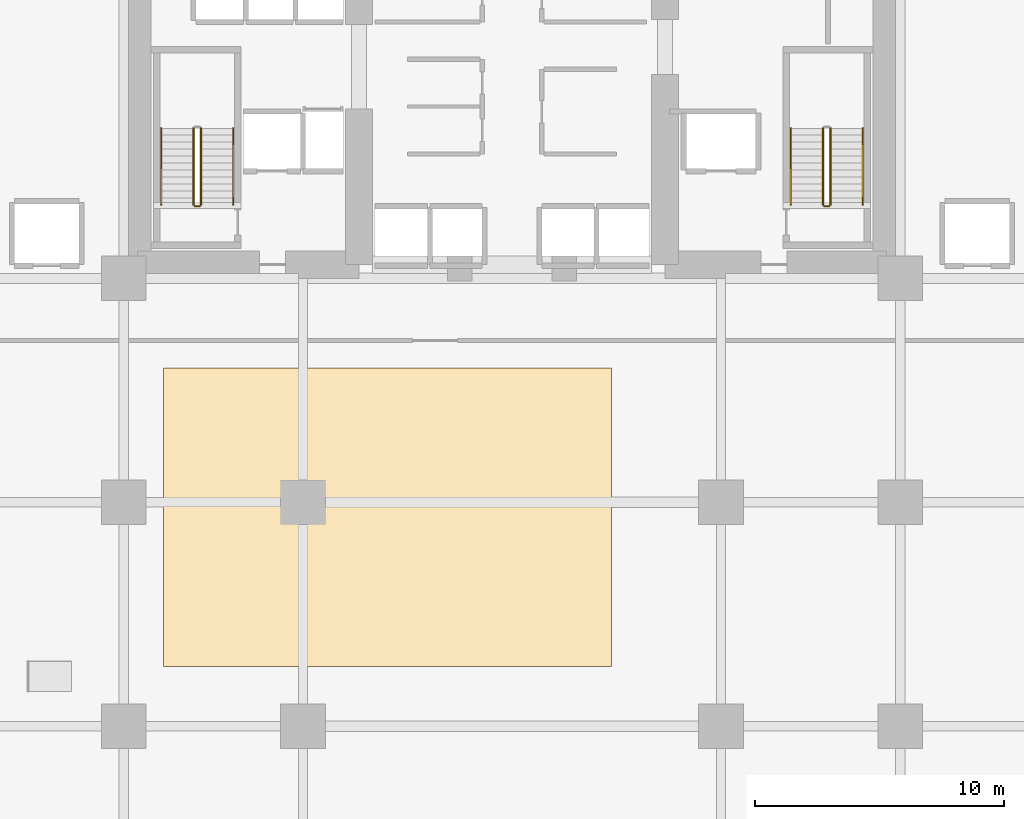
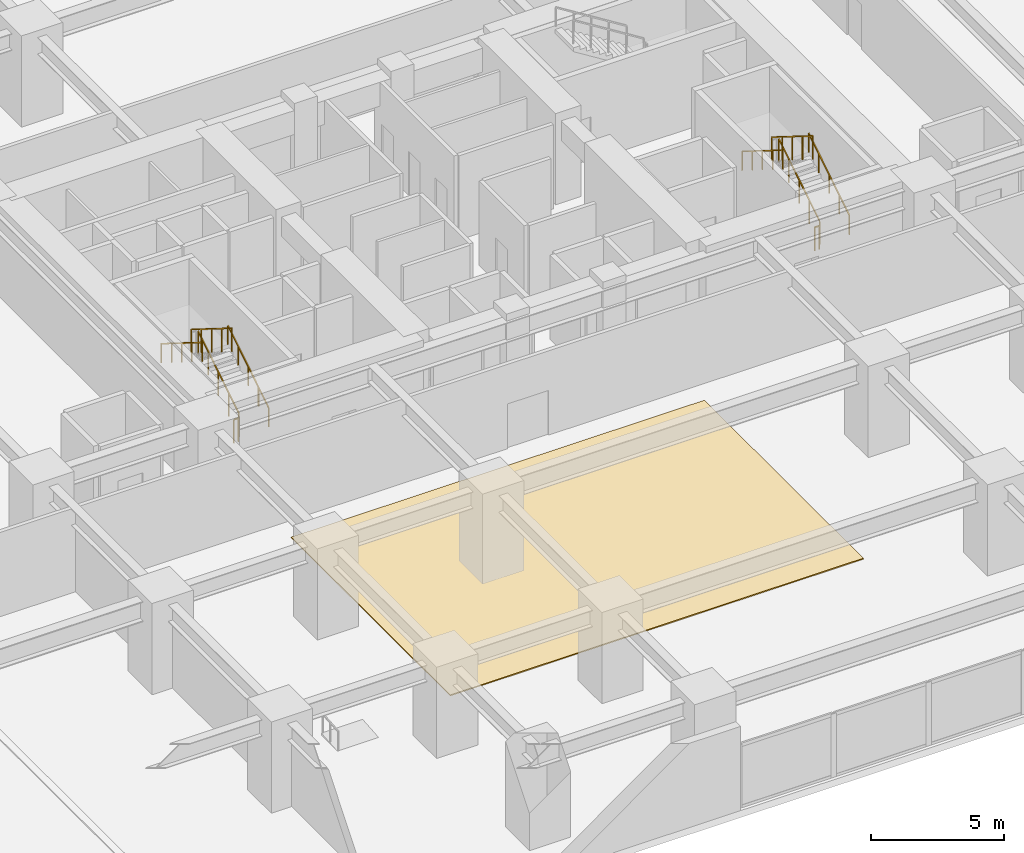
# One storey, part 16 of 22: 10 railings, 1 covering.
"""IFC4 building model written with IfcOpenShell, lengths in metres."""

from ifc_helpers import new_model, si_unit, direction, frame, origin, origin_2d, place, context, subcontext, project, spatial, polyline, rectangle, outline, extrude, material, layer, layer_set, type_object, element, save


model = new_model("IFC4")

# Units and contexts
model_context = context("Model", 3, precision=1e-05, world=origin(), true_north=direction((0.0, 1.0)))
body_context = subcontext(model_context, "Body", "Model", "MODEL_VIEW")
ifc_project = project(units=[si_unit("LENGTHUNIT", "METRE"), si_unit("AREAUNIT", "SQUARE_METRE"), si_unit("VOLUMEUNIT", "CUBIC_METRE"), si_unit("PLANEANGLEUNIT", "RADIAN"), si_unit("MASSUNIT", "GRAM", prefix="KILO")], contexts=[model_context])

# Site, building, storey
site_placement = place(None, origin())
site = spatial("IfcSite", under=ifc_project, at=site_placement, CompositionType="ELEMENT")
building_placement = place(site_placement, origin())
building = spatial("IfcBuilding", under=site, at=building_placement, Name="Kiyonajd Concourse Tower", CompositionType="ELEMENT")
storey_placement = place(building_placement, frame((0.0, 0.0, 4.5)))
storey = spatial("IfcBuildingStorey", under=building, at=storey_placement, Name="L02", CompositionType="ELEMENT", Elevation=4.5)

# Covering
ifc_material_1 = material(Name="Riyadh Jubaila Limestone", Category="masonry")
ifc_layer = layer(ifc_material_1, 0.050048828125)
ifc_layer_set = layer_set([ifc_layer], Name="Riyadh Jubaila Limestone")
covering_type = type_object("IfcCoveringType", Name="CV-FLR-RAISED", PredefinedType="FLOORING", material=ifc_layer_set)
covering_placement = place(storey_placement, origin())
element("IfcCovering", 1, at=covering_placement, inside=storey, type_object=covering_type, Name="L02 Limestone Floor Finish", PredefinedType="FLOORING", context=body_context, shape_type="SweptSolid", body=[
    extrude(outline(polyline([(34.0, 12.0), (52.0, 12.0), (52.0, 24.0), (34.0, 24.0), (34.0, 12.0)])), origin(), (0.0, 0.0, 1.0), 0.050048828125),
])

# Railings
ifc_material_2 = material(Name="Steel ASTM A500 Grade C", Category="steel")
railing_type_1 = type_object("IfcRailingType", Name="RL-GRD-STR", PredefinedType="GUARDRAIL", material=ifc_material_2)
railing_1_placement = place(storey_placement, frame((35.5, 30.550048828125, 0.175048828125)))
element("IfcRailing", 2, at=railing_1_placement, inside=storey, type_object=railing_type_1, Name="L02 ST1 stair guard 1", PredefinedType="GUARDRAIL", context=body_context, shape_type="SweptSolid", body=[
    extrude(rectangle(XDim=0.048095703125, YDim=0.048095703125, at=origin_2d()), frame((0.0, 0.0, 1.076171875), z_axis=(0.0, 0.847979421464, 0.530029150871), x_axis=(-1.0, 0.0, 0.0)), (0.0, 0.0, 1.0), 3.632080078125),
    extrude(rectangle(XDim=0.0419921875, YDim=0.0419921875, at=origin_2d()), origin(), (0.0, 0.0, 1.0), 1.052001953125),
    extrude(rectangle(XDim=0.0419921875, YDim=0.0419921875, at=origin_2d()), frame((0.0, 0.77001953125, 0.481201171875)), (0.0, 0.0, 1.0), 1.052001953125),
    extrude(rectangle(XDim=0.0419921875, YDim=0.0419921875, at=origin_2d()), frame((0.0, 1.5400390625, 0.96240234375)), (0.0, 0.0, 1.0), 1.052001953125),
    extrude(rectangle(XDim=0.0419921875, YDim=0.0419921875, at=origin_2d()), frame((0.0, 2.309814453125, 1.44384765625)), (0.0, 0.0, 1.0), 1.052001953125),
    extrude(rectangle(XDim=0.0419921875, YDim=0.0419921875, at=origin_2d()), frame((0.0, 3.079833984375, 1.925048828125)), (0.0, 0.0, 1.0), 1.052001953125),
])
railing_2_placement = place(storey_placement, frame((35.199951171875, 33.6298828125, 2.27490234375)))
element("IfcRailing", 3, at=railing_2_placement, inside=storey, type_object=railing_type_1, Name="L02 ST1 stair guard 3", PredefinedType="GUARDRAIL", context=body_context, shape_type="SweptSolid", body=[
    extrude(rectangle(XDim=0.048095703125, YDim=0.048095703125, at=origin_2d()), frame((0.0, 0.0, 1.076171875), z_axis=(0.0, -0.847979421464, 0.530029150871), x_axis=(1.0, 0.0, 0.0)), (0.0, 0.0, 1.0), 3.632080078125),
    extrude(rectangle(XDim=0.0419921875, YDim=0.0419921875, at=origin_2d()), origin(), (0.0, 0.0, 1.0), 1.052001953125),
    extrude(rectangle(XDim=0.0419921875, YDim=0.0419921875, at=origin_2d()), frame((0.0, -0.77001953125, 0.481201171875)), (0.0, 0.0, 1.0), 1.052001953125),
    extrude(rectangle(XDim=0.0419921875, YDim=0.0419921875, at=origin_2d()), frame((0.0, -1.5400390625, 0.96240234375)), (0.0, 0.0, 1.0), 1.052001953125),
    extrude(rectangle(XDim=0.0419921875, YDim=0.0419921875, at=origin_2d()), frame((0.0, -2.309814453125, 1.44384765625)), (0.0, 0.0, 1.0), 1.052001953125),
    extrude(rectangle(XDim=0.0419921875, YDim=0.0419921875, at=origin_2d()), frame((0.0, -3.079833984375, 1.925048828125)), (0.0, 0.0, 1.0), 1.052001953125),
])
railing_3_placement = place(storey_placement, frame((35.449951171875, 30.5, 0.0)))
element("IfcRailing", 4, at=railing_3_placement, inside=storey, type_object=railing_type_1, Name="L02 ST1 stair guard 4", PredefinedType="GUARDRAIL", context=body_context, shape_type="SweptSolid", body=[
    extrude(rectangle(XDim=0.048095703125, YDim=0.048095703125, at=origin_2d()), frame((0.0, 0.0, 1.076171875), z_axis=(-1.0, 0.0, 0.0), x_axis=(0.0, -1.0, 0.0)), (0.0, 0.0, 1.0), 0.199951171875),
    extrude(rectangle(XDim=0.0419921875, YDim=0.0419921875, at=origin_2d()), origin(), (0.0, 0.0, 1.0), 1.052001953125),
    extrude(rectangle(XDim=0.0419921875, YDim=0.0419921875, at=origin_2d()), frame((-0.199951171875, 0.0, 0.0)), (0.0, 0.0, 1.0), 1.052001953125),
])
railing_4_placement = place(storey_placement, frame((60.800048828125, 30.550048828125, 0.175048828125)))
element("IfcRailing", 5, at=railing_4_placement, inside=storey, type_object=railing_type_1, Name="L02 ST2 stair guard 1", PredefinedType="GUARDRAIL", context=body_context, shape_type="SweptSolid", body=[
    extrude(rectangle(XDim=0.048095703125, YDim=0.048095703125, at=origin_2d()), frame((0.0, 0.0, 1.076171875), z_axis=(0.0, 0.847979421464, 0.530029150871), x_axis=(-1.0, 0.0, 0.0)), (0.0, 0.0, 1.0), 3.632080078125),
    extrude(rectangle(XDim=0.0419921875, YDim=0.0419921875, at=origin_2d()), origin(), (0.0, 0.0, 1.0), 1.052001953125),
    extrude(rectangle(XDim=0.0419921875, YDim=0.0419921875, at=origin_2d()), frame((0.0, 0.77001953125, 0.481201171875)), (0.0, 0.0, 1.0), 1.052001953125),
    extrude(rectangle(XDim=0.0419921875, YDim=0.0419921875, at=origin_2d()), frame((0.0, 1.5400390625, 0.96240234375)), (0.0, 0.0, 1.0), 1.052001953125),
    extrude(rectangle(XDim=0.0419921875, YDim=0.0419921875, at=origin_2d()), frame((0.0, 2.309814453125, 1.44384765625)), (0.0, 0.0, 1.0), 1.052001953125),
    extrude(rectangle(XDim=0.0419921875, YDim=0.0419921875, at=origin_2d()), frame((0.0, 3.079833984375, 1.925048828125)), (0.0, 0.0, 1.0), 1.052001953125),
])
railing_5_placement = place(storey_placement, frame((60.5, 33.6298828125, 2.27490234375)))
element("IfcRailing", 6, at=railing_5_placement, inside=storey, type_object=railing_type_1, Name="L02 ST2 stair guard 3", PredefinedType="GUARDRAIL", context=body_context, shape_type="SweptSolid", body=[
    extrude(rectangle(XDim=0.048095703125, YDim=0.048095703125, at=origin_2d()), frame((0.0, 0.0, 1.076171875), z_axis=(0.0, -0.847979421464, 0.530029150871), x_axis=(1.0, 0.0, 0.0)), (0.0, 0.0, 1.0), 3.632080078125),
    extrude(rectangle(XDim=0.0419921875, YDim=0.0419921875, at=origin_2d()), origin(), (0.0, 0.0, 1.0), 1.052001953125),
    extrude(rectangle(XDim=0.0419921875, YDim=0.0419921875, at=origin_2d()), frame((0.0, -0.77001953125, 0.481201171875)), (0.0, 0.0, 1.0), 1.052001953125),
    extrude(rectangle(XDim=0.0419921875, YDim=0.0419921875, at=origin_2d()), frame((0.0, -1.5400390625, 0.96240234375)), (0.0, 0.0, 1.0), 1.052001953125),
    extrude(rectangle(XDim=0.0419921875, YDim=0.0419921875, at=origin_2d()), frame((0.0, -2.309814453125, 1.44384765625)), (0.0, 0.0, 1.0), 1.052001953125),
    extrude(rectangle(XDim=0.0419921875, YDim=0.0419921875, at=origin_2d()), frame((0.0, -3.079833984375, 1.925048828125)), (0.0, 0.0, 1.0), 1.052001953125),
])
railing_6_placement = place(storey_placement, frame((60.75, 30.5, 0.0)))
element("IfcRailing", 7, at=railing_6_placement, inside=storey, type_object=railing_type_1, Name="L02 ST2 stair guard 4", PredefinedType="GUARDRAIL", context=body_context, shape_type="SweptSolid", body=[
    extrude(rectangle(XDim=0.048095703125, YDim=0.048095703125, at=origin_2d()), frame((0.0, 0.0, 1.076171875), z_axis=(-1.0, 0.0, 0.0), x_axis=(0.0, -1.0, 0.0)), (0.0, 0.0, 1.0), 0.199951171875),
    extrude(rectangle(XDim=0.0419921875, YDim=0.0419921875, at=origin_2d()), origin(), (0.0, 0.0, 1.0), 1.052001953125),
    extrude(rectangle(XDim=0.0419921875, YDim=0.0419921875, at=origin_2d()), frame((-0.199951171875, 0.0, 0.0)), (0.0, 0.0, 1.0), 1.052001953125),
])
ifc_material_3 = material(Name="Brushed Stainless Steel Cab Assembly", Category="steel")
railing_type_2 = type_object("IfcRailingType", Name="RL-HND-900", PredefinedType="HANDRAIL", material=ifc_material_3)
railing_7_placement = place(storey_placement, frame((36.800048828125, 30.550048828125, 0.175048828125)))
element("IfcRailing", 8, at=railing_7_placement, inside=storey, type_object=railing_type_2, Name="L02 ST1 stair handrail 1", PredefinedType="HANDRAIL", context=body_context, shape_type="SweptSolid", body=[
    extrude(rectangle(XDim=0.048095703125, YDim=0.048095703125, at=origin_2d()), frame((0.0, 0.0, 0.8759765625), z_axis=(0.0, 0.847979421464, 0.530029150871), x_axis=(-1.0, 0.0, 0.0)), (0.0, 0.0, 1.0), 3.632080078125),
    extrude(rectangle(XDim=0.0419921875, YDim=0.0419921875, at=origin_2d()), origin(), (0.0, 0.0, 1.0), 0.851806640625),
    extrude(rectangle(XDim=0.0419921875, YDim=0.0419921875, at=origin_2d()), frame((0.0, 0.77001953125, 0.481201171875)), (0.0, 0.0, 1.0), 0.851806640625),
    extrude(rectangle(XDim=0.0419921875, YDim=0.0419921875, at=origin_2d()), frame((0.0, 1.5400390625, 0.96240234375)), (0.0, 0.0, 1.0), 0.851806640625),
    extrude(rectangle(XDim=0.0419921875, YDim=0.0419921875, at=origin_2d()), frame((0.0, 2.309814453125, 1.44384765625)), (0.0, 0.0, 1.0), 0.851806640625),
    extrude(rectangle(XDim=0.0419921875, YDim=0.0419921875, at=origin_2d()), frame((0.0, 3.079833984375, 1.925048828125)), (0.0, 0.0, 1.0), 0.851806640625),
])
railing_8_placement = place(storey_placement, frame((33.89990234375, 33.6298828125, 2.27490234375)))
element("IfcRailing", 9, at=railing_8_placement, inside=storey, type_object=railing_type_2, Name="L02 ST1 stair handrail 2", PredefinedType="HANDRAIL", context=body_context, shape_type="SweptSolid", body=[
    extrude(rectangle(XDim=0.048095703125, YDim=0.048095703125, at=origin_2d()), frame((0.0, 0.0, 0.8759765625), z_axis=(0.0, -0.847979421464, 0.530029150871), x_axis=(1.0, 0.0, 0.0)), (0.0, 0.0, 1.0), 3.632080078125),
    extrude(rectangle(XDim=0.0419921875, YDim=0.0419921875, at=origin_2d()), origin(), (0.0, 0.0, 1.0), 0.851806640625),
    extrude(rectangle(XDim=0.0419921875, YDim=0.0419921875, at=origin_2d()), frame((0.0, -0.77001953125, 0.481201171875)), (0.0, 0.0, 1.0), 0.851806640625),
    extrude(rectangle(XDim=0.0419921875, YDim=0.0419921875, at=origin_2d()), frame((0.0, -1.5400390625, 0.96240234375)), (0.0, 0.0, 1.0), 0.851806640625),
    extrude(rectangle(XDim=0.0419921875, YDim=0.0419921875, at=origin_2d()), frame((0.0, -2.309814453125, 1.44384765625)), (0.0, 0.0, 1.0), 0.851806640625),
    extrude(rectangle(XDim=0.0419921875, YDim=0.0419921875, at=origin_2d()), frame((0.0, -3.079833984375, 1.925048828125)), (0.0, 0.0, 1.0), 0.851806640625),
])
railing_9_placement = place(storey_placement, frame((62.10009765625, 30.550048828125, 0.175048828125)))
element("IfcRailing", 10, at=railing_9_placement, inside=storey, type_object=railing_type_2, Name="L02 ST2 stair handrail 1", PredefinedType="HANDRAIL", context=body_context, shape_type="SweptSolid", body=[
    extrude(rectangle(XDim=0.048095703125, YDim=0.048095703125, at=origin_2d()), frame((0.0, 0.0, 0.8759765625), z_axis=(0.0, 0.847979421464, 0.530029150871), x_axis=(-1.0, 0.0, 0.0)), (0.0, 0.0, 1.0), 3.632080078125),
    extrude(rectangle(XDim=0.0419921875, YDim=0.0419921875, at=origin_2d()), origin(), (0.0, 0.0, 1.0), 0.851806640625),
    extrude(rectangle(XDim=0.0419921875, YDim=0.0419921875, at=origin_2d()), frame((0.0, 0.77001953125, 0.481201171875)), (0.0, 0.0, 1.0), 0.851806640625),
    extrude(rectangle(XDim=0.0419921875, YDim=0.0419921875, at=origin_2d()), frame((0.0, 1.5400390625, 0.96240234375)), (0.0, 0.0, 1.0), 0.851806640625),
    extrude(rectangle(XDim=0.0419921875, YDim=0.0419921875, at=origin_2d()), frame((0.0, 2.309814453125, 1.44384765625)), (0.0, 0.0, 1.0), 0.851806640625),
    extrude(rectangle(XDim=0.0419921875, YDim=0.0419921875, at=origin_2d()), frame((0.0, 3.079833984375, 1.925048828125)), (0.0, 0.0, 1.0), 0.851806640625),
])
railing_10_placement = place(storey_placement, frame((59.199951171875, 33.6298828125, 2.27490234375)))
element("IfcRailing", 11, at=railing_10_placement, inside=storey, type_object=railing_type_2, Name="L02 ST2 stair handrail 2", PredefinedType="HANDRAIL", context=body_context, shape_type="SweptSolid", body=[
    extrude(rectangle(XDim=0.048095703125, YDim=0.048095703125, at=origin_2d()), frame((0.0, 0.0, 0.8759765625), z_axis=(0.0, -0.847979421464, 0.530029150871), x_axis=(1.0, 0.0, 0.0)), (0.0, 0.0, 1.0), 3.632080078125),
    extrude(rectangle(XDim=0.0419921875, YDim=0.0419921875, at=origin_2d()), origin(), (0.0, 0.0, 1.0), 0.851806640625),
    extrude(rectangle(XDim=0.0419921875, YDim=0.0419921875, at=origin_2d()), frame((0.0, -0.77001953125, 0.481201171875)), (0.0, 0.0, 1.0), 0.851806640625),
    extrude(rectangle(XDim=0.0419921875, YDim=0.0419921875, at=origin_2d()), frame((0.0, -1.5400390625, 0.96240234375)), (0.0, 0.0, 1.0), 0.851806640625),
    extrude(rectangle(XDim=0.0419921875, YDim=0.0419921875, at=origin_2d()), frame((0.0, -2.309814453125, 1.44384765625)), (0.0, 0.0, 1.0), 0.851806640625),
    extrude(rectangle(XDim=0.0419921875, YDim=0.0419921875, at=origin_2d()), frame((0.0, -3.079833984375, 1.925048828125)), (0.0, 0.0, 1.0), 0.851806640625),
])

save(model, "model.ifc")
